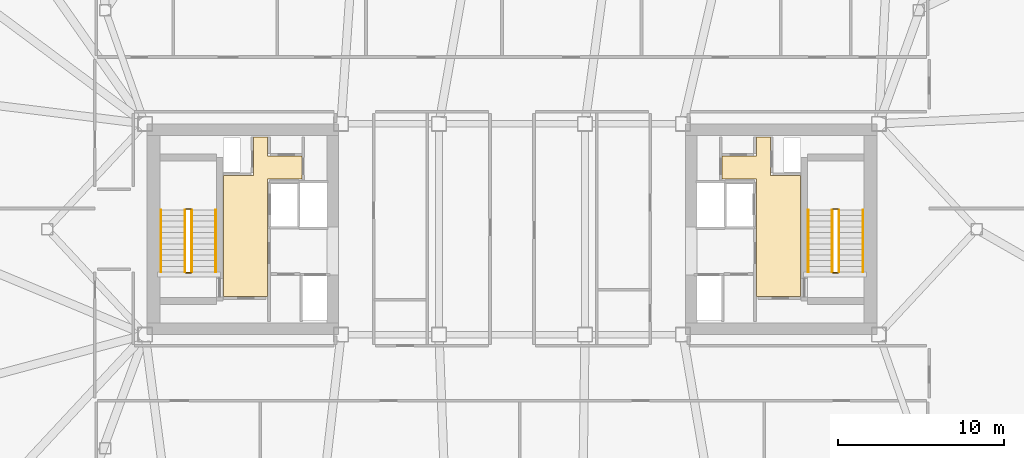
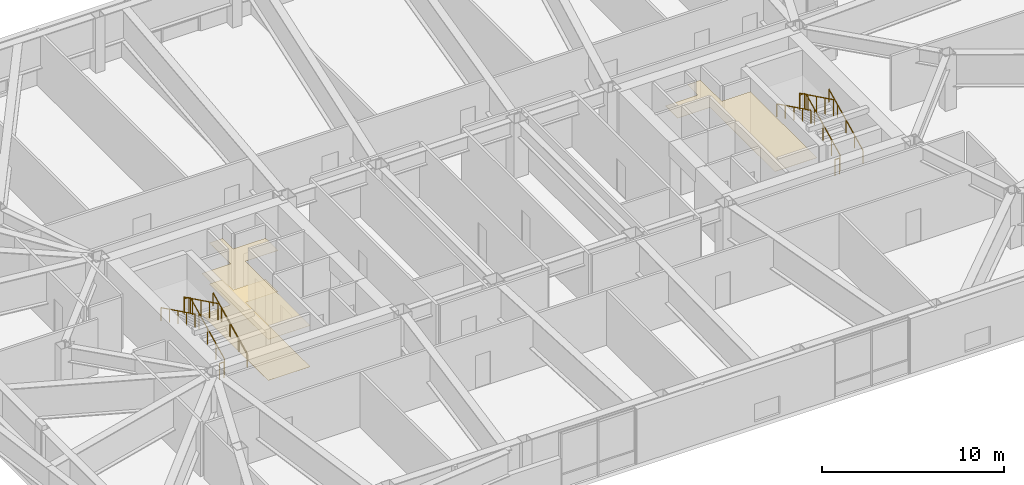
# One storey, part 19 of 19: 12 railings, 3 coverings.
"""IFC4 building model written with IfcOpenShell, lengths in metres."""

from ifc_helpers import new_model, si_unit, direction, frame, origin, origin_2d, place, context, subcontext, project, spatial, polyline, rectangle, outline, extrude, material, layer, layer_set, type_object, element, save


model = new_model("IFC4")

# Units and contexts
model_context = context("Model", 3, precision=1e-05, world=origin(), true_north=direction((0.0, 1.0)))
body_context = subcontext(model_context, "Body", "Model", "MODEL_VIEW")
ifc_project = project(units=[si_unit("LENGTHUNIT", "METRE"), si_unit("AREAUNIT", "SQUARE_METRE"), si_unit("VOLUMEUNIT", "CUBIC_METRE"), si_unit("PLANEANGLEUNIT", "RADIAN"), si_unit("MASSUNIT", "GRAM", prefix="KILO")], contexts=[model_context])

# Site, building, storey
site_placement = place(None, origin())
site = spatial("IfcSite", under=ifc_project, at=site_placement, CompositionType="ELEMENT")
building_placement = place(site_placement, origin())
building = spatial("IfcBuilding", under=site, at=building_placement, Name="Tavrogorsk Clinical Tower", CompositionType="ELEMENT")
storey_placement = place(building_placement, frame((0.0, 0.0, 204.199951171875)))
storey = spatial("IfcBuildingStorey", under=building, at=storey_placement, Name="L47", CompositionType="ELEMENT", Elevation=204.199951171875)

# Coverings
ifc_material_1 = material(Name="Antibacterial micro-perforated aluminium ceiling", Category="aluminium")
ifc_layer_1 = layer(ifc_material_1, 0.014892578125)
ifc_layer_set_1 = layer_set([ifc_layer_1], Name="Antibacterial micro-perforated aluminium ceiling")
covering_type_1 = type_object("IfcCoveringType", Name="ClinicalCeiling_15", PredefinedType="CEILING", material=ifc_layer_set_1)
covering_1_placement = place(storey_placement, frame((0.0, 0.0, 2.75)))
element("IfcCovering", 1, at=covering_1_placement, inside=storey, type_object=covering_type_1, Name="Core West Firefighting Lift Lobby Acoustic Ceiling", PredefinedType="CEILING", context=body_context, shape_type="SweptSolid", body=[
    extrude(outline(polyline([(-17.3798828125, -4.06005859375), (-17.3798828125, 3.239990234375), (-15.56005859375, 3.239990234375), (-15.56005859375, 5.56005859375), (-14.719970703125, 5.56005859375), (-14.719970703125, 4.39990234375), (-12.659912109375, 4.39990234375), (-12.659912109375, 3.0400390625), (-14.719970703125, 3.0400390625), (-14.719970703125, -4.06005859375), (-17.3798828125, -4.06005859375)])), origin(), (0.0, 0.0, 1.0), 0.01513671875),
])
covering_2_placement = place(storey_placement, frame((0.0, 0.0, 2.75)))
element("IfcCovering", 2, at=covering_2_placement, inside=storey, type_object=covering_type_1, Name="Core East Firefighting Lift Lobby Acoustic Ceiling", PredefinedType="CEILING", context=body_context, shape_type="SweptSolid", body=[
    extrude(outline(polyline([(14.719970703125, 3.0400390625), (12.659912109375, 3.0400390625), (12.659912109375, 4.39990234375), (14.719970703125, 4.39990234375), (14.719970703125, 5.56005859375), (15.56005859375, 5.56005859375), (15.56005859375, 3.239990234375), (17.3798828125, 3.239990234375), (17.3798828125, -4.06005859375), (14.719970703125, -4.06005859375), (14.719970703125, 3.0400390625)])), origin(), (0.0, 0.0, 1.0), 0.01513671875),
])
ifc_material_2 = material(Name="Homogeneous medical conductive PVC flooring")
ifc_layer_2 = layer(ifc_material_2, 0.008056640625)
ifc_layer_set_2 = layer_set([ifc_layer_2], Name="Homogeneous medical conductive PVC flooring")
covering_type_2 = type_object("IfcCoveringType", Name="ResilientVinylFloor_8", PredefinedType="FLOORING", material=ifc_layer_set_2)
covering_3_placement = place(storey_placement, origin())
element("IfcCovering", 3, at=covering_3_placement, inside=storey, type_object=covering_type_2, Name="Core West Firefighting Lift Lobby Conductive Vinyl Flooring", PredefinedType="FLOORING", context=body_context, shape_type="SweptSolid", body=[
    extrude(outline(polyline([(-17.3798828125, -4.06005859375), (-17.3798828125, 3.239990234375), (-15.56005859375, 3.239990234375), (-15.56005859375, 5.56005859375), (-14.719970703125, 5.56005859375), (-14.719970703125, 4.39990234375), (-12.659912109375, 4.39990234375), (-12.659912109375, 3.0400390625), (-14.719970703125, 3.0400390625), (-14.719970703125, -4.06005859375), (-17.3798828125, -4.06005859375)])), origin(), (0.0, 0.0, 1.0), 0.008056640625),
])

# Railings
ifc_material_3 = material(Name="Galvanised steel S355 safety stairwell guard", Category="steel")
ifc_layer_3 = layer(ifc_material_3, 0.06005859375)
ifc_layer_set_3 = layer_set([ifc_layer_3], Name="Galvanised steel S355 safety stairwell guard")
railing_type_1 = type_object("IfcRailingType", Name="StairGuard_1150", PredefinedType="GUARDRAIL", material=ifc_layer_set_3)
railing_1_placement = place(storey_placement, frame((-19.300048828125, -2.574951171875, 0.166748046875)))
element("IfcRailing", 4, at=railing_1_placement, inside=storey, type_object=railing_type_1, Name="L47 ST-W stair guard 1", PredefinedType="GUARDRAIL", context=body_context, shape_type="SweptSolid", body=[
    extrude(rectangle(XDim=0.048095703125, YDim=0.048095703125, at=origin_2d()), frame((0.0, 0.0, 1.076171875), z_axis=(0.0, 0.897927990467, 0.440142390523), x_axis=(-1.0, 0.0, 0.0)), (0.0, 0.0, 1.0), 4.1650390625),
    extrude(rectangle(XDim=0.0419921875, YDim=0.0419921875, at=origin_2d()), origin(), (0.0, 0.0, 1.0), 1.052001953125),
    extrude(rectangle(XDim=0.0419921875, YDim=0.0419921875, at=origin_2d()), frame((0.0, 0.93505859375, 0.458251953125)), (0.0, 0.0, 1.0), 1.052001953125),
    extrude(rectangle(XDim=0.0419921875, YDim=0.0419921875, at=origin_2d()), frame((0.0, 1.8701171875, 0.91650390625)), (0.0, 0.0, 1.0), 1.052001953125),
    extrude(rectangle(XDim=0.0419921875, YDim=0.0419921875, at=origin_2d()), frame((0.0, 2.804931640625, 1.375)), (0.0, 0.0, 1.0), 1.052001953125),
    extrude(rectangle(XDim=0.0419921875, YDim=0.0419921875, at=origin_2d()), frame((0.0, 3.739990234375, 1.833251953125)), (0.0, 0.0, 1.0), 1.052001953125),
])
railing_2_placement = place(storey_placement, frame((-19.35009765625, 1.215087890625, 2.0)))
element("IfcRailing", 5, at=railing_2_placement, inside=storey, type_object=railing_type_1, Name="L47 ST-W stair guard 2", PredefinedType="GUARDRAIL", context=body_context, shape_type="SweptSolid", body=[
    extrude(rectangle(XDim=0.048095703125, YDim=0.048095703125, at=origin_2d()), frame((0.0, 0.0, 1.076171875), z_axis=(-1.0, 0.0, 0.0), x_axis=(0.0, -1.0, 0.0)), (0.0, 0.0, 1.0), 0.2998046875),
    extrude(rectangle(XDim=0.0419921875, YDim=0.0419921875, at=origin_2d()), origin(), (0.0, 0.0, 1.0), 1.052001953125),
    extrude(rectangle(XDim=0.0419921875, YDim=0.0419921875, at=origin_2d()), frame((-0.2998046875, 0.0, 0.0)), (0.0, 0.0, 1.0), 1.052001953125),
])
railing_3_placement = place(storey_placement, frame((-19.699951171875, 1.1650390625, 2.166748046875)))
element("IfcRailing", 6, at=railing_3_placement, inside=storey, type_object=railing_type_1, Name="L47 ST-W stair guard 3", PredefinedType="GUARDRAIL", context=body_context, shape_type="SweptSolid", body=[
    extrude(rectangle(XDim=0.048095703125, YDim=0.048095703125, at=origin_2d()), frame((0.0, 0.0, 1.076171875), z_axis=(0.0, -0.897927990467, 0.440142390523), x_axis=(1.0, 0.0, 0.0)), (0.0, 0.0, 1.0), 4.1650390625),
    extrude(rectangle(XDim=0.0419921875, YDim=0.0419921875, at=origin_2d()), origin(), (0.0, 0.0, 1.0), 1.052001953125),
    extrude(rectangle(XDim=0.0419921875, YDim=0.0419921875, at=origin_2d()), frame((0.0, -0.93505859375, 0.458251953125)), (0.0, 0.0, 1.0), 1.052001953125),
    extrude(rectangle(XDim=0.0419921875, YDim=0.0419921875, at=origin_2d()), frame((0.0, -1.8701171875, 0.91650390625)), (0.0, 0.0, 1.0), 1.052001953125),
    extrude(rectangle(XDim=0.0419921875, YDim=0.0419921875, at=origin_2d()), frame((0.0, -2.804931640625, 1.375)), (0.0, 0.0, 1.0), 1.052001953125),
    extrude(rectangle(XDim=0.0419921875, YDim=0.0419921875, at=origin_2d()), frame((0.0, -3.739990234375, 1.833251953125)), (0.0, 0.0, 1.0), 1.052001953125),
])
railing_4_placement = place(storey_placement, frame((-19.35009765625, -2.625, 0.0)))
element("IfcRailing", 7, at=railing_4_placement, inside=storey, type_object=railing_type_1, Name="L47 ST-W stair guard 4", PredefinedType="GUARDRAIL", context=body_context, shape_type="SweptSolid", body=[
    extrude(rectangle(XDim=0.048095703125, YDim=0.048095703125, at=origin_2d()), frame((0.0, 0.0, 1.076171875), z_axis=(-1.0, 0.0, 0.0), x_axis=(0.0, -1.0, 0.0)), (0.0, 0.0, 1.0), 0.2998046875),
    extrude(rectangle(XDim=0.0419921875, YDim=0.0419921875, at=origin_2d()), origin(), (0.0, 0.0, 1.0), 1.052001953125),
    extrude(rectangle(XDim=0.0419921875, YDim=0.0419921875, at=origin_2d()), frame((-0.2998046875, 0.0, 0.0)), (0.0, 0.0, 1.0), 1.052001953125),
])
railing_5_placement = place(storey_placement, frame((19.699951171875, -2.574951171875, 0.166748046875)))
element("IfcRailing", 8, at=railing_5_placement, inside=storey, type_object=railing_type_1, Name="L47 ST-E stair guard 1", PredefinedType="GUARDRAIL", context=body_context, shape_type="SweptSolid", body=[
    extrude(rectangle(XDim=0.048095703125, YDim=0.048095703125, at=origin_2d()), frame((0.0, 0.0, 1.076171875), z_axis=(0.0, 0.897927990467, 0.440142390523), x_axis=(-1.0, 0.0, 0.0)), (0.0, 0.0, 1.0), 4.1650390625),
    extrude(rectangle(XDim=0.0419921875, YDim=0.0419921875, at=origin_2d()), origin(), (0.0, 0.0, 1.0), 1.052001953125),
    extrude(rectangle(XDim=0.0419921875, YDim=0.0419921875, at=origin_2d()), frame((0.0, 0.93505859375, 0.458251953125)), (0.0, 0.0, 1.0), 1.052001953125),
    extrude(rectangle(XDim=0.0419921875, YDim=0.0419921875, at=origin_2d()), frame((0.0, 1.8701171875, 0.91650390625)), (0.0, 0.0, 1.0), 1.052001953125),
    extrude(rectangle(XDim=0.0419921875, YDim=0.0419921875, at=origin_2d()), frame((0.0, 2.804931640625, 1.375)), (0.0, 0.0, 1.0), 1.052001953125),
    extrude(rectangle(XDim=0.0419921875, YDim=0.0419921875, at=origin_2d()), frame((0.0, 3.739990234375, 1.833251953125)), (0.0, 0.0, 1.0), 1.052001953125),
])
railing_6_placement = place(storey_placement, frame((19.64990234375, 1.215087890625, 2.0)))
element("IfcRailing", 9, at=railing_6_placement, inside=storey, type_object=railing_type_1, Name="L47 ST-E stair guard 2", PredefinedType="GUARDRAIL", context=body_context, shape_type="SweptSolid", body=[
    extrude(rectangle(XDim=0.048095703125, YDim=0.048095703125, at=origin_2d()), frame((0.0, 0.0, 1.076171875), z_axis=(-1.0, 0.0, 0.0), x_axis=(0.0, -1.0, 0.0)), (0.0, 0.0, 1.0), 0.2998046875),
    extrude(rectangle(XDim=0.0419921875, YDim=0.0419921875, at=origin_2d()), origin(), (0.0, 0.0, 1.0), 1.052001953125),
    extrude(rectangle(XDim=0.0419921875, YDim=0.0419921875, at=origin_2d()), frame((-0.2998046875, 0.0, 0.0)), (0.0, 0.0, 1.0), 1.052001953125),
])
railing_7_placement = place(storey_placement, frame((19.300048828125, 1.1650390625, 2.166748046875)))
element("IfcRailing", 10, at=railing_7_placement, inside=storey, type_object=railing_type_1, Name="L47 ST-E stair guard 3", PredefinedType="GUARDRAIL", context=body_context, shape_type="SweptSolid", body=[
    extrude(rectangle(XDim=0.048095703125, YDim=0.048095703125, at=origin_2d()), frame((0.0, 0.0, 1.076171875), z_axis=(0.0, -0.897927990467, 0.440142390523), x_axis=(1.0, 0.0, 0.0)), (0.0, 0.0, 1.0), 4.1650390625),
    extrude(rectangle(XDim=0.0419921875, YDim=0.0419921875, at=origin_2d()), origin(), (0.0, 0.0, 1.0), 1.052001953125),
    extrude(rectangle(XDim=0.0419921875, YDim=0.0419921875, at=origin_2d()), frame((0.0, -0.93505859375, 0.458251953125)), (0.0, 0.0, 1.0), 1.052001953125),
    extrude(rectangle(XDim=0.0419921875, YDim=0.0419921875, at=origin_2d()), frame((0.0, -1.8701171875, 0.91650390625)), (0.0, 0.0, 1.0), 1.052001953125),
    extrude(rectangle(XDim=0.0419921875, YDim=0.0419921875, at=origin_2d()), frame((0.0, -2.804931640625, 1.375)), (0.0, 0.0, 1.0), 1.052001953125),
    extrude(rectangle(XDim=0.0419921875, YDim=0.0419921875, at=origin_2d()), frame((0.0, -3.739990234375, 1.833251953125)), (0.0, 0.0, 1.0), 1.052001953125),
])
railing_8_placement = place(storey_placement, frame((19.64990234375, -2.625, 0.0)))
element("IfcRailing", 11, at=railing_8_placement, inside=storey, type_object=railing_type_1, Name="L47 ST-E stair guard 4", PredefinedType="GUARDRAIL", context=body_context, shape_type="SweptSolid", body=[
    extrude(rectangle(XDim=0.048095703125, YDim=0.048095703125, at=origin_2d()), frame((0.0, 0.0, 1.076171875), z_axis=(-1.0, 0.0, 0.0), x_axis=(0.0, -1.0, 0.0)), (0.0, 0.0, 1.0), 0.2998046875),
    extrude(rectangle(XDim=0.0419921875, YDim=0.0419921875, at=origin_2d()), origin(), (0.0, 0.0, 1.0), 1.052001953125),
    extrude(rectangle(XDim=0.0419921875, YDim=0.0419921875, at=origin_2d()), frame((-0.2998046875, 0.0, 0.0)), (0.0, 0.0, 1.0), 1.052001953125),
])
ifc_material_4 = material(Name="Stainless steel AISI 304 tubular handrail", Category="steel")
ifc_layer_4 = layer(ifc_material_4, 0.050048828125)
ifc_layer_set_4 = layer_set([ifc_layer_4], Name="Stainless steel AISI 304 tubular handrail")
railing_type_2 = type_object("IfcRailingType", Name="StairHandrail_920", PredefinedType="HANDRAIL", material=ifc_layer_set_4)
railing_9_placement = place(storey_placement, frame((-17.85009765625, -2.574951171875, 0.166748046875)))
element("IfcRailing", 12, at=railing_9_placement, inside=storey, type_object=railing_type_2, Name="L47 ST-W stair handrail 1", PredefinedType="HANDRAIL", context=body_context, shape_type="SweptSolid", body=[
    extrude(rectangle(XDim=0.048095703125, YDim=0.048095703125, at=origin_2d()), frame((0.0, 0.0, 0.8759765625), z_axis=(0.0, 0.897927990467, 0.440142390523), x_axis=(-1.0, 0.0, 0.0)), (0.0, 0.0, 1.0), 4.1650390625),
    extrude(rectangle(XDim=0.0419921875, YDim=0.0419921875, at=origin_2d()), origin(), (0.0, 0.0, 1.0), 0.851806640625),
    extrude(rectangle(XDim=0.0419921875, YDim=0.0419921875, at=origin_2d()), frame((0.0, 0.93505859375, 0.458251953125)), (0.0, 0.0, 1.0), 0.851806640625),
    extrude(rectangle(XDim=0.0419921875, YDim=0.0419921875, at=origin_2d()), frame((0.0, 1.8701171875, 0.91650390625)), (0.0, 0.0, 1.0), 0.851806640625),
    extrude(rectangle(XDim=0.0419921875, YDim=0.0419921875, at=origin_2d()), frame((0.0, 2.804931640625, 1.375)), (0.0, 0.0, 1.0), 0.851806640625),
    extrude(rectangle(XDim=0.0419921875, YDim=0.0419921875, at=origin_2d()), frame((0.0, 3.739990234375, 1.833251953125)), (0.0, 0.0, 1.0), 0.851806640625),
])
railing_10_placement = place(storey_placement, frame((-21.14990234375, 1.1650390625, 2.166748046875)))
element("IfcRailing", 13, at=railing_10_placement, inside=storey, type_object=railing_type_2, Name="L47 ST-W stair handrail 2", PredefinedType="HANDRAIL", context=body_context, shape_type="SweptSolid", body=[
    extrude(rectangle(XDim=0.048095703125, YDim=0.048095703125, at=origin_2d()), frame((0.0, 0.0, 0.8759765625), z_axis=(0.0, -0.897927990467, 0.440142390523), x_axis=(1.0, 0.0, 0.0)), (0.0, 0.0, 1.0), 4.1650390625),
    extrude(rectangle(XDim=0.0419921875, YDim=0.0419921875, at=origin_2d()), origin(), (0.0, 0.0, 1.0), 0.851806640625),
    extrude(rectangle(XDim=0.0419921875, YDim=0.0419921875, at=origin_2d()), frame((0.0, -0.93505859375, 0.458251953125)), (0.0, 0.0, 1.0), 0.851806640625),
    extrude(rectangle(XDim=0.0419921875, YDim=0.0419921875, at=origin_2d()), frame((0.0, -1.8701171875, 0.91650390625)), (0.0, 0.0, 1.0), 0.851806640625),
    extrude(rectangle(XDim=0.0419921875, YDim=0.0419921875, at=origin_2d()), frame((0.0, -2.804931640625, 1.375)), (0.0, 0.0, 1.0), 0.851806640625),
    extrude(rectangle(XDim=0.0419921875, YDim=0.0419921875, at=origin_2d()), frame((0.0, -3.739990234375, 1.833251953125)), (0.0, 0.0, 1.0), 0.851806640625),
])
railing_11_placement = place(storey_placement, frame((21.14990234375, -2.574951171875, 0.166748046875)))
element("IfcRailing", 14, at=railing_11_placement, inside=storey, type_object=railing_type_2, Name="L47 ST-E stair handrail 1", PredefinedType="HANDRAIL", context=body_context, shape_type="SweptSolid", body=[
    extrude(rectangle(XDim=0.048095703125, YDim=0.048095703125, at=origin_2d()), frame((0.0, 0.0, 0.8759765625), z_axis=(0.0, 0.897927990467, 0.440142390523), x_axis=(-1.0, 0.0, 0.0)), (0.0, 0.0, 1.0), 4.1650390625),
    extrude(rectangle(XDim=0.0419921875, YDim=0.0419921875, at=origin_2d()), origin(), (0.0, 0.0, 1.0), 0.851806640625),
    extrude(rectangle(XDim=0.0419921875, YDim=0.0419921875, at=origin_2d()), frame((0.0, 0.93505859375, 0.458251953125)), (0.0, 0.0, 1.0), 0.851806640625),
    extrude(rectangle(XDim=0.0419921875, YDim=0.0419921875, at=origin_2d()), frame((0.0, 1.8701171875, 0.91650390625)), (0.0, 0.0, 1.0), 0.851806640625),
    extrude(rectangle(XDim=0.0419921875, YDim=0.0419921875, at=origin_2d()), frame((0.0, 2.804931640625, 1.375)), (0.0, 0.0, 1.0), 0.851806640625),
    extrude(rectangle(XDim=0.0419921875, YDim=0.0419921875, at=origin_2d()), frame((0.0, 3.739990234375, 1.833251953125)), (0.0, 0.0, 1.0), 0.851806640625),
])
railing_12_placement = place(storey_placement, frame((17.85009765625, 1.1650390625, 2.166748046875)))
element("IfcRailing", 15, at=railing_12_placement, inside=storey, type_object=railing_type_2, Name="L47 ST-E stair handrail 2", PredefinedType="HANDRAIL", context=body_context, shape_type="SweptSolid", body=[
    extrude(rectangle(XDim=0.048095703125, YDim=0.048095703125, at=origin_2d()), frame((0.0, 0.0, 0.8759765625), z_axis=(0.0, -0.897927990467, 0.440142390523), x_axis=(1.0, 0.0, 0.0)), (0.0, 0.0, 1.0), 4.1650390625),
    extrude(rectangle(XDim=0.0419921875, YDim=0.0419921875, at=origin_2d()), origin(), (0.0, 0.0, 1.0), 0.851806640625),
    extrude(rectangle(XDim=0.0419921875, YDim=0.0419921875, at=origin_2d()), frame((0.0, -0.93505859375, 0.458251953125)), (0.0, 0.0, 1.0), 0.851806640625),
    extrude(rectangle(XDim=0.0419921875, YDim=0.0419921875, at=origin_2d()), frame((0.0, -1.8701171875, 0.91650390625)), (0.0, 0.0, 1.0), 0.851806640625),
    extrude(rectangle(XDim=0.0419921875, YDim=0.0419921875, at=origin_2d()), frame((0.0, -2.804931640625, 1.375)), (0.0, 0.0, 1.0), 0.851806640625),
    extrude(rectangle(XDim=0.0419921875, YDim=0.0419921875, at=origin_2d()), frame((0.0, -3.739990234375, 1.833251953125)), (0.0, 0.0, 1.0), 0.851806640625),
])

save(model, "model.ifc")
